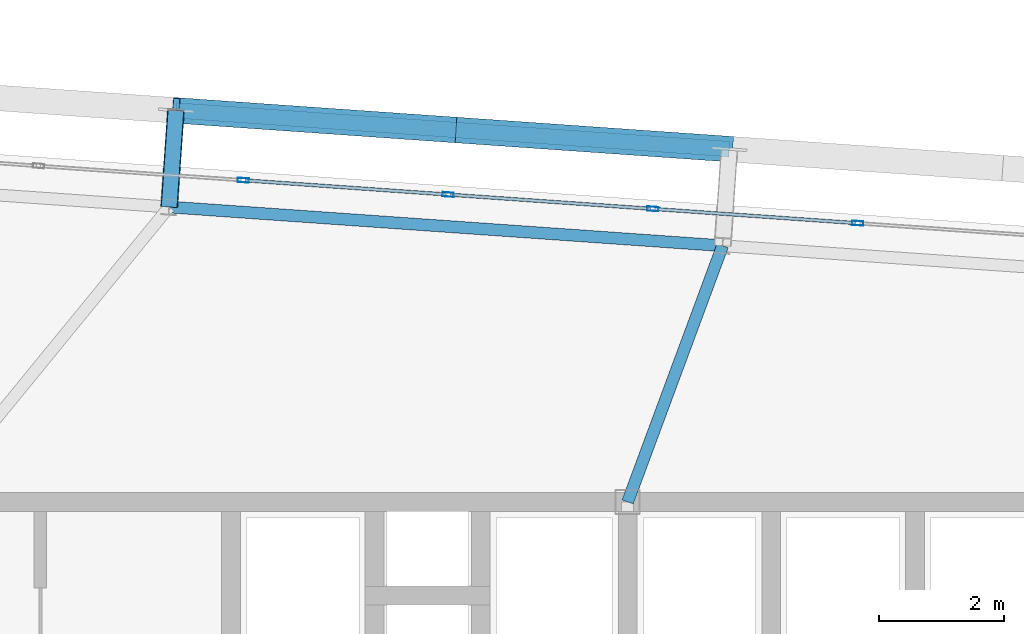
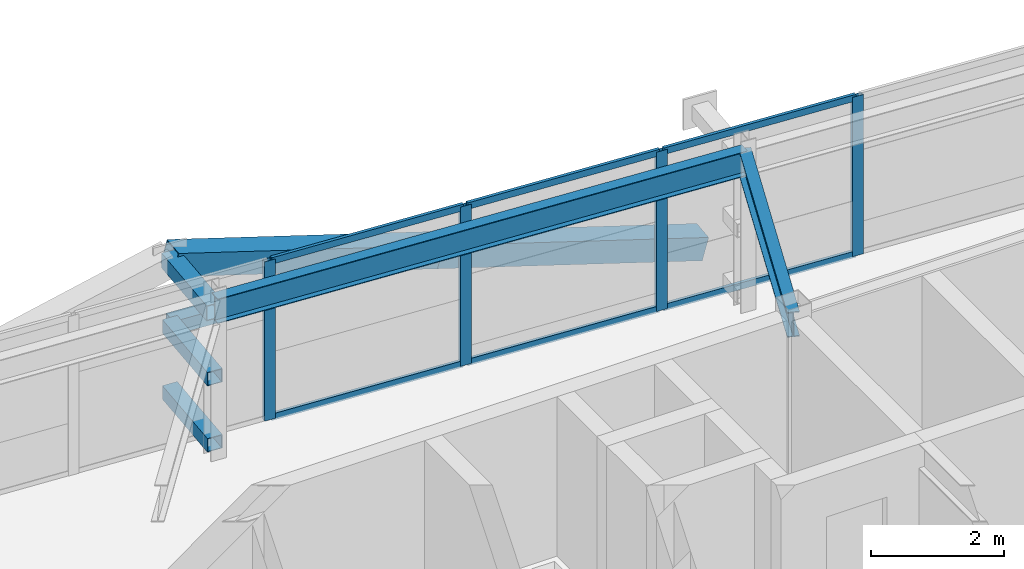
# One storey, part 28 of 47: 16 members, 2 beams, 1 element without a shape of its own.
"""IFC4 building model written with IfcOpenShell, lengths in metres."""

from ifc_helpers import new_model, si_unit, direction, frame, origin, origin_2d, place, context, subcontext, project, spatial, hollow_rectangle, i_section, extrude, source, transform, mapped, material, layer, layer_set, material_profile, profile_set, type_object, element, aggregate, save


model = new_model("IFC4")

# Units and contexts
model_context = context("Model", 3, precision=1e-05, world=origin(), true_north=direction((0.0, 1.0)))
body_context = subcontext(model_context, "Body", "Model", "MODEL_VIEW")
ifc_project = project(units=[si_unit("LENGTHUNIT", "METRE"), si_unit("AREAUNIT", "SQUARE_METRE"), si_unit("VOLUMEUNIT", "CUBIC_METRE"), si_unit("PLANEANGLEUNIT", "RADIAN"), si_unit("MASSUNIT", "GRAM", prefix="KILO")], contexts=[model_context])

# Site, building, storey
site_placement = place(None, origin())
site = spatial("IfcSite", under=ifc_project, at=site_placement, CompositionType="ELEMENT")
building_placement = place(site_placement, origin())
building = spatial("IfcBuilding", under=site, at=building_placement, Name="Taldren Reach Tower", CompositionType="ELEMENT")
storey_placement = place(building_placement, frame((0.0, 0.0, 142.449951171875)))
storey = spatial("IfcBuildingStorey", under=building, at=storey_placement, Name="L43", CompositionType="ELEMENT", Elevation=142.449951171875)

# Members
ifc_material_1 = material(Name="Steel Gr 450 (C450L0)", Category="steel")
ifc_material_profile_1 = material_profile(ifc_material_1, hollow_rectangle(XDim=0.27490234375, YDim=0.27490234375, WallThickness=0.00927734375, at=origin_2d()), Name="275x275x9.3SHS")
ifc_profile_set_1 = profile_set([ifc_material_profile_1], Name="Steel Gr 450 (C450L0)")
member_type_1 = type_object("IfcMemberType", Name="MB-TIE273", PredefinedType="STRUT", material=ifc_profile_set_1)
shared_shape_1 = source(origin(), body_context, "Body", "SweptSolid", [
    extrude(hollow_rectangle(XDim=0.27490234375, YDim=0.27490234375, WallThickness=0.00927734375, at=origin_2d()), origin(), (0.0, 0.0, 1.0), 1.5498046875),
])
member_1_placement = place(storey_placement, frame((31.861328125, 36.719970703125, 2.650146484375), z_axis=(0.069780535098, 0.997562367434, 0.0), x_axis=(-0.997562367434, 0.069780535098, 0.0)))
element("IfcMember", 1, at=member_1_placement, inside=storey, type_object=member_type_1, Name="Exoskeleton diaphragm tie strut B3-N3 L43", PredefinedType="STRUT", context=body_context, shape_type="MappedRepresentation", body=[
    mapped(shared_shape_1, transform((0.0, 0.0, 0.0), scale=1.0)),
])
ifc_material_2 = material(Name="Steel Gr 350 (C350L0)", Category="steel")
ifc_material_profile_2 = material_profile(ifc_material_2, hollow_rectangle(XDim=0.25, YDim=0.25, WallThickness=0.010009765625, at=origin_2d()), Name="250x250x10.0SHS")
ifc_profile_set_2 = profile_set([ifc_material_profile_2], Name="Steel Gr 350 (C350L0)")
member_type_2 = type_object("IfcMemberType", Name="MB-POST250", PredefinedType="POST", material=ifc_profile_set_2)
shared_shape_2 = source(origin(), body_context, "Body", "SweptSolid", [
    extrude(hollow_rectangle(XDim=0.25, YDim=0.25, WallThickness=0.010009765625, at=origin_2d()), origin(), (0.0, 0.0, 1.0), 1.5498046875),
])
for number, where, z_axis, x_axis, name in (
    (2, (31.861328125, 36.719970703125, 0.219970703125), (0.069780535098, 0.997562367434, 0.0), (-0.997562367434, 0.069780535098, 0.0), "Exoskeleton base diaphragm tie strut B3-N3 L43"),
    (3, (31.861328125, 36.719970703125, 1.43505859375), (0.069780535098, 0.997562367434, 0.0), (-0.997562367434, 0.069780535098, 0.0), "Exoskeleton mid-tier diaphragm tie B3-N3 L43"),
):
    element("IfcMember", number, at=place(storey_placement, frame(where, z_axis=z_axis, x_axis=x_axis)), inside=storey, type_object=member_type_2, Name=name, PredefinedType="POST", context=body_context, shape_type="MappedRepresentation", body=[
        mapped(shared_shape_2, transform((0.0, 0.0, 0.0), scale=1.0)),
    ])

# Beams
ifc_material_3 = material(Name="Steel Gr 350 (350PLUS)", Category="steel")
ifc_material_profile_3 = material_profile(ifc_material_3, i_section(OverallWidth=0.18994140625, OverallDepth=0.4541015625, WebThickness=0.008544921875, FlangeThickness=0.0126953125, at=origin_2d()), Name="460UB67.1")
ifc_profile_set_3 = profile_set([ifc_material_profile_3], Name="Steel Gr 350 (350PLUS)")
beam_type_1 = type_object("IfcBeamType", Name="SP-UB460B", PredefinedType="SPANDREL", material=ifc_profile_set_3)
shared_shape_3 = source(origin(), body_context, "Body", "SweptSolid", [
    extrude(i_section(OverallWidth=0.18994140625, OverallDepth=0.4541015625, WebThickness=0.008544921875, FlangeThickness=0.0126953125, at=origin_2d()), origin(), (0.0, 0.0, 1.0), 8.880126953125),
])
beam_1_placement = place(storey_placement, frame((40.7197265625, 36.100341796875, 2.703125), z_axis=(-0.997562566276, 0.06977769246, 0.0), x_axis=(-0.06977769246, -0.997562566276, 0.0)))
element("IfcBeam", 4, at=beam_1_placement, inside=storey, type_object=beam_type_1, Name="Perimeter spandrel B3 N4-N3 L43", PredefinedType="SPANDREL", context=body_context, shape_type="MappedRepresentation", body=[
    mapped(shared_shape_3, transform((0.0, 0.0, 0.0), scale=1.0)),
])
ifc_material_profile_4 = material_profile(ifc_material_3, i_section(OverallWidth=0.19091796875, OverallDepth=0.4599609375, WebThickness=0.010009765625, FlangeThickness=0.01611328125, at=origin_2d()), Name="460UB82.1")
ifc_profile_set_4 = profile_set([ifc_material_profile_4], Name="Steel Gr 350 (350PLUS)")
beam_type_2 = type_object("IfcBeamType", Name="BM-UB460A", PredefinedType="BEAM", material=ifc_profile_set_4)
shared_shape_4 = source(origin(), body_context, "Body", "SweptSolid", [
    extrude(i_section(OverallWidth=0.19091796875, OverallDepth=0.4599609375, WebThickness=0.010009765625, FlangeThickness=0.01611328125, at=origin_2d()), origin(), (0.0, 0.0, 1.0), 4.373046875),
])
beam_2_placement = place(storey_placement, frame((39.199951171875, 32.0, 2.699951171875), z_axis=(0.347541638975, 0.937664550454, 0.0), x_axis=(-0.937664550454, 0.347541638975, 0.0)))
element("IfcBeam", 5, at=beam_2_placement, inside=storey, type_object=beam_type_2, Name="Primary floor girder B3-N4 L43", PredefinedType="BEAM", context=body_context, shape_type="MappedRepresentation", body=[
    mapped(shared_shape_4, transform((0.0, 0.0, 0.0), scale=1.0)),
])

# Members
shared_shape_5 = source(origin(), body_context, "Body", "SweptSolid", [
    extrude(hollow_rectangle(XDim=0.25, YDim=0.25, WallThickness=0.010009765625, at=origin_2d()), origin(), (0.0, 0.0, 1.0), 8.880126953125),
])
member_2_placement = place(storey_placement, frame((31.969482421875, 38.26611328125, 1.43505859375), z_axis=(0.997564479639, -0.069750333063, 0.0), x_axis=(0.069750333063, 0.997564479639, 0.0)))
element("IfcMember", 6, at=member_2_placement, inside=storey, type_object=member_type_2, Name="Exoskeleton mid-height ring chord B3-N3 L43", PredefinedType="POST", context=body_context, shape_type="MappedRepresentation", body=[
    mapped(shared_shape_5, transform((0.0, 0.0, 0.0), scale=1.0)),
])
ifc_material_profile_5 = material_profile(ifc_material_1, hollow_rectangle(XDim=0.409912109375, YDim=0.409912109375, WallThickness=0.01611328125, at=origin_2d()), Name="410x410x16.0SHS")
ifc_profile_set_5 = profile_set([ifc_material_profile_5], Name="Steel Gr 450 (C450L0)")
member_type_3 = type_object("IfcMemberType", Name="MB-EXO406", PredefinedType="BRACE", material=ifc_profile_set_5)
shared_shape_6 = source(origin(), body_context, "Body", "SweptSolid", [
    extrude(hollow_rectangle(XDim=0.409912109375, YDim=0.409912109375, WallThickness=0.01611328125, at=origin_2d()), origin(), (0.0, 0.0, 1.0), 4.603271484375),
])
for number, where, z_axis, x_axis, name in (
    (7, (40.827880859375, 37.646728515625, 0.219970703125), (-0.962185784239, 0.067250114343, 0.263962002434), (-0.069722973508, -0.997566392259, 0.0), "Exoskeleton Diagrid Brace B3-N3 L43"),
    (8, (36.398681640625, 37.956298828125, 1.43505859375), (-0.962182351074, 0.067302910567, 0.263961060594), (-0.06977769246, -0.997562566276, 0.0), "Exoskeleton Diagrid Brace B3-N3 L43"),
):
    element("IfcMember", number, at=place(storey_placement, frame(where, z_axis=z_axis, x_axis=x_axis)), inside=storey, type_object=member_type_3, Name=name, PredefinedType="BRACE", context=body_context, shape_type="MappedRepresentation", body=[
        mapped(shared_shape_6, transform((0.0, 0.0, 0.0), scale=1.0)),
    ])

# Curtain wall, members
ifc_material_4 = material(Name="Aluminium and Low-E Glass Unitised System", Category="aluminium")
ifc_layer = layer(ifc_material_4, 0.159912109375)
ifc_layer_set = layer_set([ifc_layer], Name="Aluminium and Low-E Glass Unitised System")
curtain_wall_type = type_object("IfcCurtainWallType", Name="CW-SYS-4", PredefinedType="NOTDEFINED", material=ifc_layer_set)
curtain_wall_placement = place(storey_placement, origin())
curtain_wall = element("IfcCurtainWall", 9, at=curtain_wall_placement, inside=storey, type_object=curtain_wall_type, Name="Unitised curtain wall CW-L43-N", PredefinedType="NOTDEFINED")
ifc_material_5 = material(Name="Anodised Aluminium 6063-T6", Category="aluminium")
ifc_material_profile_6 = material_profile(ifc_material_5, hollow_rectangle(XDim=0.070068359375, YDim=0.179931640625, WallThickness=0.00390625, at=origin_2d()), Name="ALU-180x70x4RHS")
ifc_profile_set_6 = profile_set([ifc_material_profile_6], Name="Anodised Aluminium 6063-T6")
member_type_4 = type_object("IfcMemberType", Name="CW-MUL-180", PredefinedType="MULLION", material=ifc_profile_set_6)
shared_shape_7 = source(origin(), body_context, "Body", "SweptSolid", [
    extrude(hollow_rectangle(XDim=0.070068359375, YDim=0.179931640625, WallThickness=0.00390625, at=origin_2d()), origin(), (0.0, 0.0, 1.0), 2.929931640625),
])
member_3_placement = place(storey_placement, frame((42.881591796875, 36.46044921875, 0.0), z_axis=(0.0, 0.0, 1.0), x_axis=(-0.06975651593, -0.99756404731, 0.0)))
member_3 = element("IfcMember", 10, at=member_3_placement, type_object=member_type_4, Name="CW-4 mullion 6", PredefinedType="MULLION", context=body_context, shape_type="MappedRepresentation", body=[
    mapped(shared_shape_7, transform((0.0, 0.0, 0.0), scale=1.0)),
])
member_4_placement = place(storey_placement, frame((39.603759765625, 36.689697265625, 0.0), z_axis=(0.0, 0.0, 1.0), x_axis=(-0.06975651593, -0.99756404731, 0.0)))
member_4 = element("IfcMember", 11, at=member_4_placement, type_object=member_type_4, Name="CW-4 mullion 7", PredefinedType="MULLION", context=body_context, shape_type="MappedRepresentation", body=[
    mapped(shared_shape_7, transform((0.0, 0.0, 0.0), scale=1.0)),
])
member_5_placement = place(storey_placement, frame((36.326171875, 36.9189453125, 0.0), z_axis=(0.0, 0.0, 1.0), x_axis=(-0.06975651593, -0.99756404731, 0.0)))
member_5 = element("IfcMember", 12, at=member_5_placement, type_object=member_type_4, Name="CW-4 mullion 8", PredefinedType="MULLION", context=body_context, shape_type="MappedRepresentation", body=[
    mapped(shared_shape_7, transform((0.0, 0.0, 0.0), scale=1.0)),
])
member_6_placement = place(storey_placement, frame((33.04833984375, 37.148193359375, 0.0), z_axis=(0.0, 0.0, 1.0), x_axis=(-0.06975651593, -0.99756404731, 0.0)))
member_6 = element("IfcMember", 13, at=member_6_placement, type_object=member_type_4, Name="CW-4 mullion 9", PredefinedType="MULLION", context=body_context, shape_type="MappedRepresentation", body=[
    mapped(shared_shape_7, transform((0.0, 0.0, 0.0), scale=1.0)),
])
ifc_material_profile_7 = material_profile(ifc_material_5, hollow_rectangle(XDim=0.054931640625, YDim=0.1201171875, WallThickness=0.0029296875, at=origin_2d()), Name="ALU-120x55x3RHS")
ifc_profile_set_7 = profile_set([ifc_material_profile_7], Name="Anodised Aluminium 6063-T6")
member_type_5 = type_object("IfcMemberType", Name="CW-TRN-135", PredefinedType="USERDEFINED", material=ifc_profile_set_7)
shared_shape_8 = source(origin(), body_context, "Body", "SweptSolid", [
    extrude(hollow_rectangle(XDim=0.054931640625, YDim=0.1201171875, WallThickness=0.0029296875, at=origin_2d()), origin(), (0.0, 0.0, 1.0), 3.2158203125),
])
member_7_placement = place(storey_placement, frame((42.8466796875, 36.462890625, 0.027587890625), z_axis=(-0.997563195991, 0.069768689278, 0.0), x_axis=(-0.069768689278, -0.997563195991, 0.0)))
member_7 = element("IfcMember", 14, at=member_7_placement, type_object=member_type_5, Name="CW-4 transom 6.1", ObjectType="TRANSOM", PredefinedType="USERDEFINED", context=body_context, shape_type="MappedRepresentation", body=[
    mapped(shared_shape_8, transform((0.0, 0.0, 0.0), scale=1.0)),
])
member_8_placement = place(storey_placement, frame((42.8466796875, 36.462890625, 2.902587890625), z_axis=(-0.997563195991, 0.069768689278, 0.0), x_axis=(-0.069768689278, -0.997563195991, 0.0)))
member_8 = element("IfcMember", 15, at=member_8_placement, type_object=member_type_5, Name="CW-4 transom 6.2", ObjectType="TRANSOM", PredefinedType="USERDEFINED", context=body_context, shape_type="MappedRepresentation", body=[
    mapped(shared_shape_8, transform((0.0, 0.0, 0.0), scale=1.0)),
])
member_9_placement = place(storey_placement, frame((36.291259765625, 36.92138671875, 0.027587890625), z_axis=(-0.997563195991, 0.069768689278, 0.0), x_axis=(-0.069768689278, -0.997563195991, 0.0)))
member_9 = element("IfcMember", 16, at=member_9_placement, type_object=member_type_5, Name="CW-4 transom 8.1", ObjectType="TRANSOM", PredefinedType="USERDEFINED", context=body_context, shape_type="MappedRepresentation", body=[
    mapped(shared_shape_8, transform((0.0, 0.0, 0.0), scale=1.0)),
])
member_10_placement = place(storey_placement, frame((36.291259765625, 36.92138671875, 2.902587890625), z_axis=(-0.997563195991, 0.069768689278, 0.0), x_axis=(-0.069768689278, -0.997563195991, 0.0)))
member_10 = element("IfcMember", 17, at=member_10_placement, type_object=member_type_5, Name="CW-4 transom 8.2", ObjectType="TRANSOM", PredefinedType="USERDEFINED", context=body_context, shape_type="MappedRepresentation", body=[
    mapped(shared_shape_8, transform((0.0, 0.0, 0.0), scale=1.0)),
])
shared_shape_9 = source(origin(), body_context, "Body", "SweptSolid", [
    extrude(hollow_rectangle(XDim=0.054931640625, YDim=0.1201171875, WallThickness=0.0029296875, at=origin_2d()), origin(), (0.0, 0.0, 1.0), 3.215576171875),
])
member_11_placement = place(storey_placement, frame((39.56884765625, 36.692138671875, 0.027587890625), z_axis=(-0.997562826405, 0.069773973473, 0.0), x_axis=(-0.069773973473, -0.997562826405, 0.0)))
member_11 = element("IfcMember", 18, at=member_11_placement, type_object=member_type_5, Name="CW-4 transom 7.1", ObjectType="TRANSOM", PredefinedType="USERDEFINED", context=body_context, shape_type="MappedRepresentation", body=[
    mapped(shared_shape_9, transform((0.0, 0.0, 0.0), scale=1.0)),
])
member_12_placement = place(storey_placement, frame((39.56884765625, 36.692138671875, 2.902587890625), z_axis=(-0.997562826405, 0.069773973473, 0.0), x_axis=(-0.069773973473, -0.997562826405, 0.0)))
member_12 = element("IfcMember", 19, at=member_12_placement, type_object=member_type_5, Name="CW-4 transom 7.2", ObjectType="TRANSOM", PredefinedType="USERDEFINED", context=body_context, shape_type="MappedRepresentation", body=[
    mapped(shared_shape_9, transform((0.0, 0.0, 0.0), scale=1.0)),
])
aggregate(curtain_wall, [member_3, member_4, member_5, member_6, member_7, member_8, member_11, member_12, member_9, member_10])

save(model, "model.ifc")
